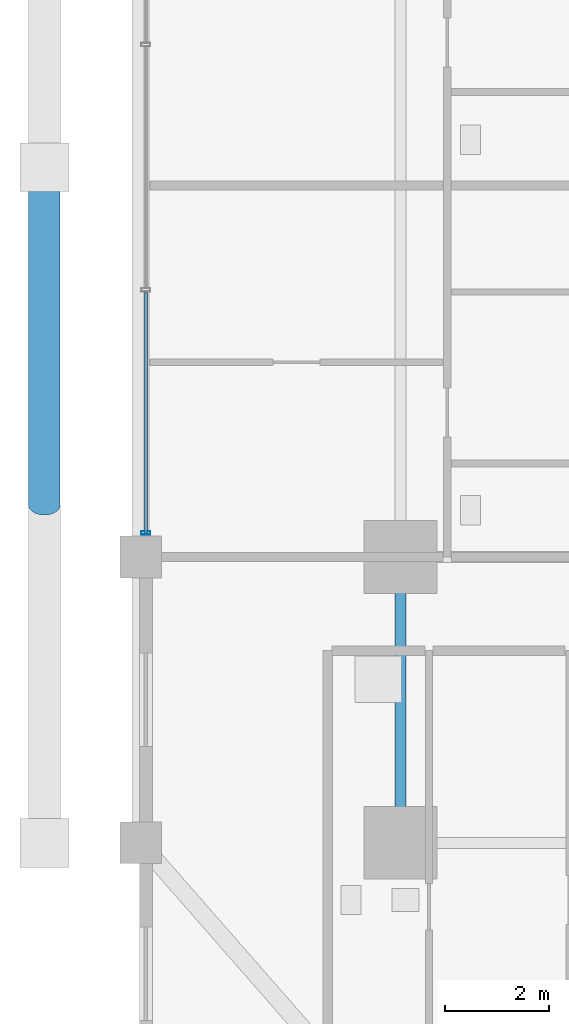
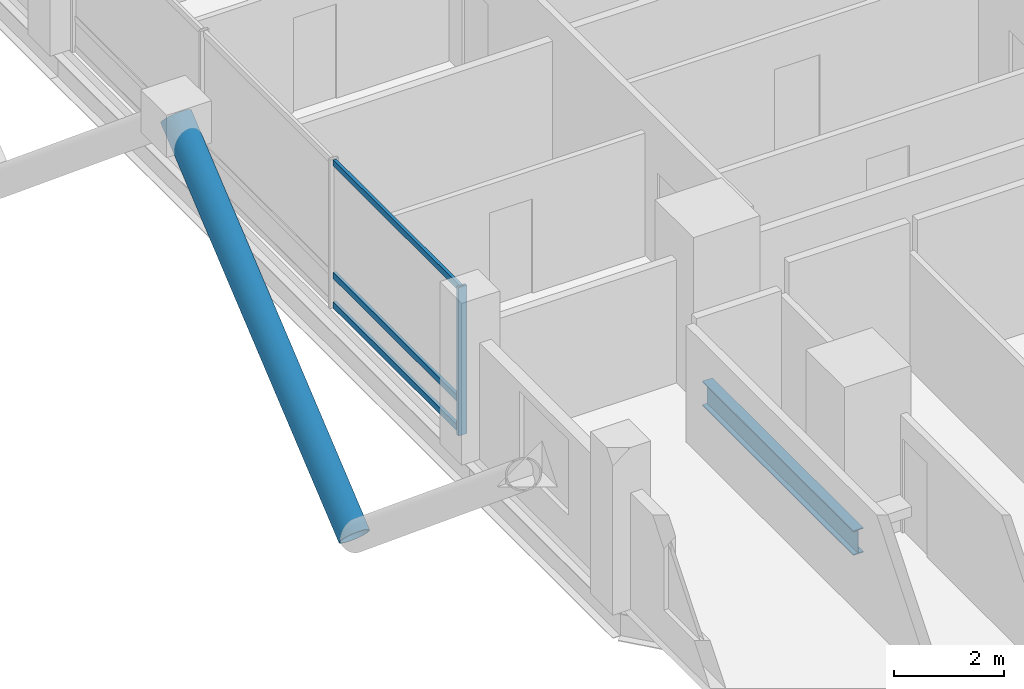
# One storey, part 4 of 24: 5 members, 1 beam, 1 element without a shape of its own.
"""IFC4 building model written with IfcOpenShell, lengths in metres."""

from ifc_helpers import new_model, si_unit, direction, frame, origin, origin_2d, place, context, subcontext, project, spatial, hollow_rectangle, hollow_circle, i_section, extrude, material, layer, layer_set, material_profile, profile_set, type_object, element, aggregate, save


model = new_model("IFC4")

# Units and contexts
model_context = context("Model", 3, precision=1e-05, world=origin(), true_north=direction((0.0, 1.0)))
body_context = subcontext(model_context, "Body", "Model", "MODEL_VIEW")
ifc_project = project(units=[si_unit("LENGTHUNIT", "METRE"), si_unit("AREAUNIT", "SQUARE_METRE"), si_unit("VOLUMEUNIT", "CUBIC_METRE"), si_unit("PLANEANGLEUNIT", "RADIAN"), si_unit("MASSUNIT", "GRAM", prefix="KILO")], contexts=[model_context])

# Site, building, storey
site_placement = place(None, origin())
site = spatial("IfcSite", under=ifc_project, at=site_placement, CompositionType="ELEMENT")
building_placement = place(site_placement, origin())
building = spatial("IfcBuilding", under=site, at=building_placement, Name="Barlavira Tower and Art Museum", CompositionType="ELEMENT")
storey_placement = place(building_placement, frame((0.0, 0.0, 90.0)))
storey = spatial("IfcBuildingStorey", under=building, at=storey_placement, Name="L22", CompositionType="ELEMENT", Elevation=90.0)

# Curtain wall, members
ifc_material_1 = material(Name="Low-iron coastal laminated glass", Category="glass")
ifc_layer = layer(ifc_material_1, 0.179931640625, Name="Low-iron coastal laminated glass")
ifc_layer_set = layer_set([ifc_layer], Name="Low-iron coastal laminated glass")
curtain_wall_type = type_object("IfcCurtainWallType", Name="Pale-Metal Unitised Curtain Wall Zone 1", PredefinedType="NOTDEFINED", material=ifc_layer_set)
curtain_wall_placement = place(storey_placement, origin())
curtain_wall = element("IfcCurtainWall", 1, at=curtain_wall_placement, inside=storey, type_object=curtain_wall_type, Name="L22 Curtain Wall CW1-L22-W-B3", PredefinedType="NOTDEFINED")
ifc_material_2 = material(Name="Pale anodised aluminium", Category="aluminium")
ifc_material_profile_1 = material_profile(ifc_material_2, hollow_rectangle(XDim=0.06494140625, YDim=0.179931640625, WallThickness=0.00390625, at=origin_2d()), Name="ALU-MULL 65x180x4")
ifc_profile_set_1 = profile_set([ifc_material_profile_1], Name="Pale anodised aluminium")
member_type_1 = type_object("IfcMemberType", Name="Curtain Wall Pale-Metal Mullion 65x180", PredefinedType="MULLION", material=ifc_profile_set_1)
member_1_placement = place(storey_placement, frame((-21.89990234375, -7.034912109375, 0.0), z_axis=(0.0, 0.0, 1.0), x_axis=(0.0, -1.0, 0.0)))
member_1 = element("IfcMember", 2, at=member_1_placement, type_object=member_type_1, Name="CW1-L22-W-B3 Mullion 3", PredefinedType="MULLION", context=body_context, shape_type="SweptSolid", body=[
    extrude(hollow_rectangle(XDim=0.06494140625, YDim=0.179931640625, WallThickness=0.00390625, at=origin_2d()), origin(), (0.0, 0.0, 1.0), 3.300048828125),
])
ifc_material_profile_2 = material_profile(ifc_material_2, hollow_rectangle(XDim=0.06494140625, YDim=0.139892578125, WallThickness=0.00390625, at=origin_2d()), Name="ALU-TRAN 65x140x4")
ifc_profile_set_2 = profile_set([ifc_material_profile_2], Name="Pale anodised aluminium")
member_type_2 = type_object("IfcMemberType", Name="Curtain Wall Pale-Metal Transom 65x140", PredefinedType="USERDEFINED", material=ifc_profile_set_2)
member_2_placement = place(storey_placement, frame((-21.89990234375, -2.405029296875, 0.070068359375), z_axis=(0.0, -1.0, 0.0), x_axis=(1.0, 0.0, 0.0)))
member_2 = element("IfcMember", 3, at=member_2_placement, type_object=member_type_2, Name="CW1-L22-W-B3 Transom 2.1", ObjectType="TRANSOM", PredefinedType="USERDEFINED", context=body_context, shape_type="SweptSolid", body=[
    extrude(hollow_rectangle(XDim=0.06494140625, YDim=0.139892578125, WallThickness=0.00390625, at=origin_2d()), origin(), (0.0, 0.0, 1.0), 4.6298828125),
])
member_3_placement = place(storey_placement, frame((-21.89990234375, -2.405029296875, 0.72607421875), z_axis=(0.0, -1.0, 0.0), x_axis=(1.0, 0.0, 0.0)))
member_3 = element("IfcMember", 4, at=member_3_placement, type_object=member_type_2, Name="CW1-L22-W-B3 Transom 2.2", ObjectType="TRANSOM", PredefinedType="USERDEFINED", context=body_context, shape_type="SweptSolid", body=[
    extrude(hollow_rectangle(XDim=0.06494140625, YDim=0.139892578125, WallThickness=0.00390625, at=origin_2d()), origin(), (0.0, 0.0, 1.0), 4.6298828125),
])
member_4_placement = place(storey_placement, frame((-21.89990234375, -2.405029296875, 3.22998046875), z_axis=(0.0, -1.0, 0.0), x_axis=(1.0, 0.0, 0.0)))
member_4 = element("IfcMember", 5, at=member_4_placement, type_object=member_type_2, Name="CW1-L22-W-B3 Transom 2.3", ObjectType="TRANSOM", PredefinedType="USERDEFINED", context=body_context, shape_type="SweptSolid", body=[
    extrude(hollow_rectangle(XDim=0.06494140625, YDim=0.139892578125, WallThickness=0.00390625, at=origin_2d()), origin(), (0.0, 0.0, 1.0), 4.6298828125),
])
aggregate(curtain_wall, [member_1, member_2, member_3, member_4])

# Member
ifc_material_3 = material(Name="Steel S355", Category="steel")
ifc_material_profile_3 = material_profile(ifc_material_3, hollow_circle(Radius=0.304931640625, WallThickness=0.028076171875, at=origin_2d()), Name="CHS 610.0x28.0")
ifc_profile_set_3 = profile_set([ifc_material_profile_3], Name="Steel S355")
member_type_3 = type_object("IfcMemberType", Name="Pale-Metal Exoskeleton Diagrid Tube CHS 610x28 Steel S355", PredefinedType="BRACE", material=ifc_profile_set_3)
member_5_placement = place(storey_placement, frame((-23.85009765625, -6.5, -1.919921875), z_axis=(0.0, 0.769196053329, 0.639012857104), x_axis=(-1.0, 0.0, 0.0)))
element("IfcMember", 6, at=member_5_placement, inside=storey, type_object=member_type_3, Name="L22 Exoskeleton Diagrid Tube W", PredefinedType="BRACE", context=body_context, shape_type="SweptSolid", body=[
    extrude(hollow_circle(Radius=0.304931640625, WallThickness=0.028076171875, at=origin_2d()), origin(), (0.0, 0.0, 1.0), 8.450439453125),
])

# Beam
ifc_material_profile_4 = material_profile(ifc_material_3, i_section(OverallWidth=0.214111328125, OverallDepth=0.549072265625, WebThickness=0.0146484375, FlangeThickness=0.023681640625, at=origin_2d()), Name="W530x138.0")
ifc_profile_set_4 = profile_set([ifc_material_profile_4], Name="Steel S355")
beam_type = type_object("IfcBeamType", Name="Zone 1 Primary Floor Girder W530x138 Steel S355", PredefinedType="BEAM", material=ifc_profile_set_4)
beam_placement = place(storey_placement, frame((-17.0, -13.0, -0.494384765625), z_axis=(0.0, 1.0, 0.0), x_axis=(-1.0, 0.0, 0.0)))
element("IfcBeam", 7, at=beam_placement, inside=storey, type_object=beam_type, Name="L22 Girder M-W1", PredefinedType="BEAM", context=body_context, shape_type="SweptSolid", body=[
    extrude(i_section(OverallWidth=0.214111328125, OverallDepth=0.549072265625, WebThickness=0.0146484375, FlangeThickness=0.023681640625, at=origin_2d()), origin(), (0.0, 0.0, 1.0), 5.5),
])

save(model, "model.ifc")
